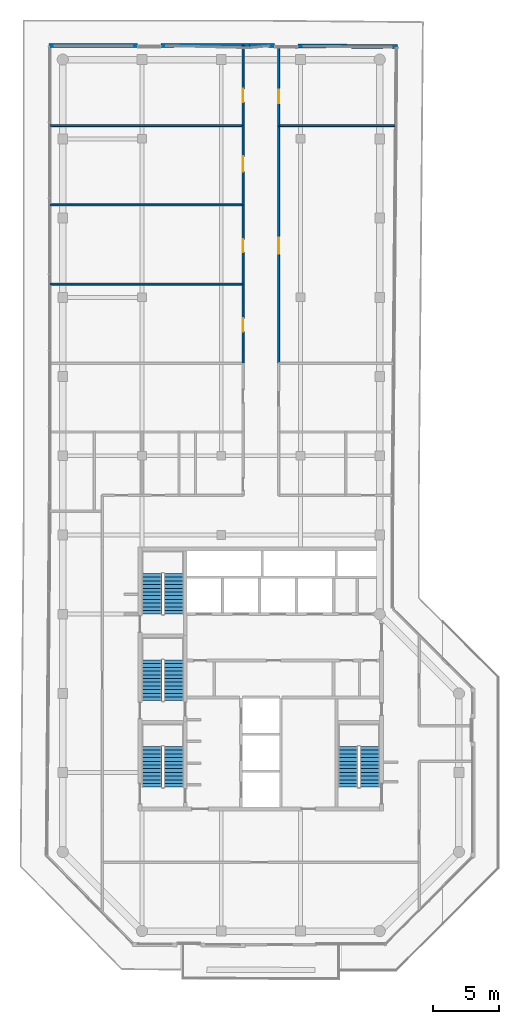
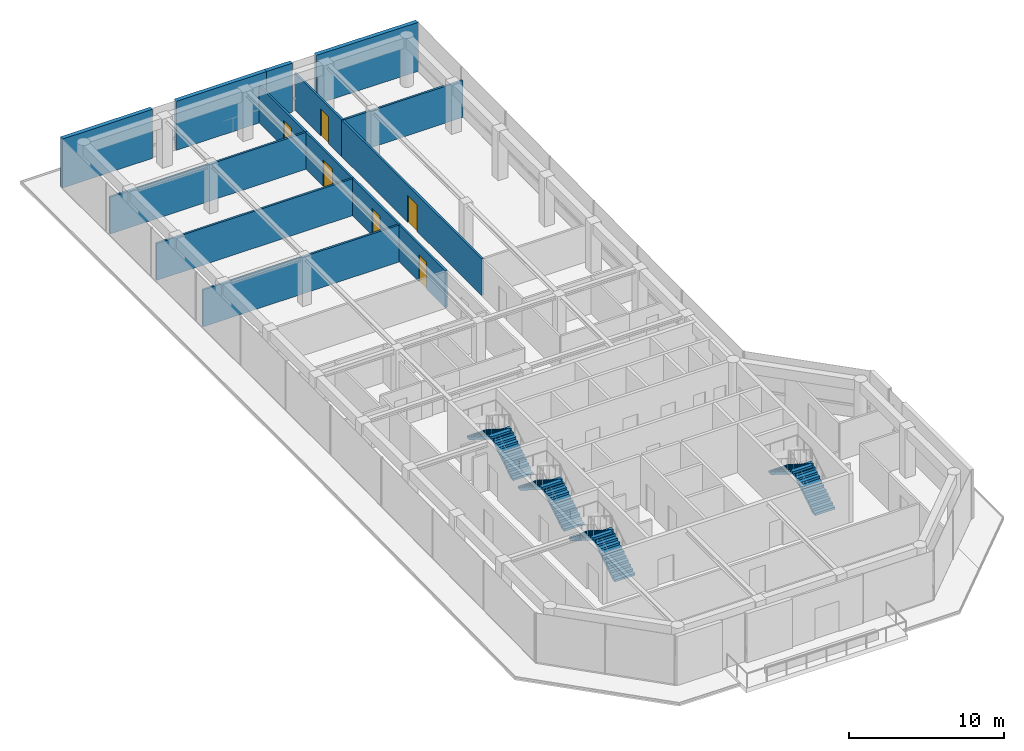
# One storey, part 16 of 18: 14 walls, 8 stair flights, 6 doors, 6 openings, 4 elements without a shape of their own.
"""IFC4 building model written with IfcOpenShell, lengths in metres."""

from ifc_helpers import new_model, si_unit, direction, frame, frame_2d, origin, place, context, subcontext, project, spatial, polyline, rectangle, outline, extrude, material, layer, layer_set, type_object, element, fill, aggregate, save


model = new_model("IFC4")

# Units and contexts
model_context = context("Model", 3, precision=1e-05, world=origin(), true_north=direction((0.0, 1.0)))
body_context = subcontext(model_context, "Body", "Model", "MODEL_VIEW")
ifc_project = project(units=[si_unit("LENGTHUNIT", "METRE"), si_unit("AREAUNIT", "SQUARE_METRE"), si_unit("VOLUMEUNIT", "CUBIC_METRE"), si_unit("PLANEANGLEUNIT", "RADIAN"), si_unit("MASSUNIT", "GRAM", prefix="KILO")], contexts=[model_context])

# Site, building, storey
site_placement = place(None, origin())
site = spatial("IfcSite", under=ifc_project, at=site_placement, CompositionType="ELEMENT")
building_placement = place(site_placement, origin())
building = spatial("IfcBuilding", under=site, at=building_placement, Name="Welwitschia Terrace Campus", CompositionType="ELEMENT")
storey_placement = place(building_placement, frame((0.0, 0.0, 285.199951171875)))
storey = spatial("IfcBuildingStorey", under=building, at=storey_placement, Name="L63", CompositionType="ELEMENT", Elevation=285.199951171875)

# Walls
ifc_material_1 = material(Name="Gypsum board on steel studs", Category="steel")
ifc_layer_1 = layer(ifc_material_1, 0.14990234375)
ifc_layer_set_1 = layer_set([ifc_layer_1], Name="Gypsum board on steel studs")
wall_type_1 = type_object("IfcWallType", Name="Corridor partition 150 EI 30", PredefinedType="PARTITIONING", material=ifc_layer_set_1)
for number, where, z_axis, x_axis, name in (
    (1, (-0.97998046875, 45.0, 0.0), (0.0, 0.0, 1.0), (1.0, 0.0, 0.0), "Partition"),
    (2, (-0.97998046875, 51.0, 0.0), (0.0, 0.0, 1.0), (1.0, 0.0, 0.0), "Partition"),
    (3, (-0.97998046875, 57.0, 0.0), (0.0, 0.0, 1.0), (1.0, 0.0, 0.0), "Partition"),
):
    element("IfcWall", number, at=place(storey_placement, frame(where, z_axis=z_axis, x_axis=x_axis)), inside=storey, type_object=wall_type_1, Name=name, PredefinedType="PARTITIONING", context=body_context, shape_type="SweptSolid", body=[
        extrude(rectangle(XDim=14.6298828125, YDim=0.14990234375, at=frame_2d((7.31494140625, 0.0))), origin(), (0.0, 0.0, 1.0), 2.900146484375),
    ])

# Wall, opening, door
wall_1_placement = place(storey_placement, frame((13.64990234375, 39.0, 0.0), z_axis=(0.0, 0.0, 1.0), x_axis=(0.0, 1.0, 0.0)))
wall_1 = element("IfcWall", 4, at=wall_1_placement, inside=storey, type_object=wall_type_1, Name="Partition", PredefinedType="PARTITIONING", context=body_context, shape_type="SweptSolid", body=[
    extrude(rectangle(XDim=6.0, YDim=0.14990234375, at=frame_2d((3.0, 0.0))), origin(), (0.0, 0.0, 1.0), 2.900146484375),
])
opening_1_placement = place(wall_1_placement, frame((2.39990234375, 0.0, 0.0)))
opening_1 = element("IfcOpeningElement", 5, at=opening_1_placement, cuts=wall_1, Name="Opening DI10", PredefinedType="OPENING", context=body_context, shape_type="SweptSolid", body=[
    extrude(rectangle(XDim=1.0, YDim=2.10009765625, at=frame_2d((0.5, 1.050048828125))), frame((0.0, 0.0849609375, 0.0), z_axis=(0.0, -1.0, 0.0), x_axis=(1.0, 0.0, 0.0)), (0.0, 0.0, 1.0), 0.169921875),
])
ifc_material_2 = material(Name="Timber veneered door", Category="wood")
door_type_1 = type_object("IfcDoorType", Name="Interior door DI10", OperationType="NOTDEFINED", PredefinedType="DOOR", material=ifc_material_2)
door_1_placement = place(opening_1_placement, origin())
door_1 = element("IfcDoor", 6, at=door_1_placement, inside=storey, type_object=door_type_1, Name="Door L63 1125", OperationType="SINGLE_SWING_RIGHT", OverallHeight=2.10009765625, OverallWidth=1.0, PredefinedType="DOOR", context=body_context, shape_type="SweptSolid", body=[
    extrude(rectangle(XDim=1.0, YDim=2.10009765625, at=frame_2d((0.5, 1.050048828125))), frame((0.0, 0.02490234375, 0.0), z_axis=(0.0, -1.0, 0.0), x_axis=(1.0, 0.0, 0.0)), (0.0, 0.0, 1.0), 0.050048828125),
])
fill(opening_1, door_1)

wall_2_placement = place(storey_placement, frame((13.64990234375, 45.0, 0.0), z_axis=(0.0, 0.0, 1.0), x_axis=(0.0, 1.0, 0.0)))
wall_2 = element("IfcWall", 7, at=wall_2_placement, inside=storey, type_object=wall_type_1, Name="Partition", PredefinedType="PARTITIONING", context=body_context, shape_type="SweptSolid", body=[
    extrude(rectangle(XDim=6.0, YDim=0.14990234375, at=frame_2d((3.0, 0.0))), origin(), (0.0, 0.0, 1.0), 2.900146484375),
])
opening_2_placement = place(wall_2_placement, frame((2.39990234375, 0.0, 0.0)))
opening_2 = element("IfcOpeningElement", 8, at=opening_2_placement, cuts=wall_2, Name="Opening DI10", PredefinedType="OPENING", context=body_context, shape_type="SweptSolid", body=[
    extrude(rectangle(XDim=1.0, YDim=2.10009765625, at=frame_2d((0.5, 1.050048828125))), frame((0.0, 0.0849609375, 0.0), z_axis=(0.0, -1.0, 0.0), x_axis=(1.0, 0.0, 0.0)), (0.0, 0.0, 1.0), 0.169921875),
])
door_2_placement = place(opening_2_placement, origin())
door_2 = element("IfcDoor", 9, at=door_2_placement, inside=storey, type_object=door_type_1, Name="Door L63 1126", OperationType="SINGLE_SWING_LEFT", OverallHeight=2.10009765625, OverallWidth=1.0, PredefinedType="DOOR", context=body_context, shape_type="SweptSolid", body=[
    extrude(rectangle(XDim=1.0, YDim=2.10009765625, at=frame_2d((0.5, 1.050048828125))), frame((0.0, 0.02490234375, 0.0), z_axis=(0.0, -1.0, 0.0), x_axis=(1.0, 0.0, 0.0)), (0.0, 0.0, 1.0), 0.050048828125),
])
fill(opening_2, door_2)

wall_3_placement = place(storey_placement, frame((13.64990234375, 51.0, 0.0), z_axis=(0.0, 0.0, 1.0), x_axis=(0.0, 1.0, 0.0)))
wall_3 = element("IfcWall", 10, at=wall_3_placement, inside=storey, type_object=wall_type_1, Name="Partition", PredefinedType="PARTITIONING", context=body_context, shape_type="SweptSolid", body=[
    extrude(rectangle(XDim=6.0, YDim=0.14990234375, at=frame_2d((3.0, 0.0))), origin(), (0.0, 0.0, 1.0), 2.900146484375),
])
opening_3_placement = place(wall_3_placement, frame((2.5, 0.0, 0.0)))
opening_3 = element("IfcOpeningElement", 11, at=opening_3_placement, cuts=wall_3, Name="Opening DI12", PredefinedType="OPENING", context=body_context, shape_type="SweptSolid", body=[
    extrude(rectangle(XDim=1.199951171875, YDim=2.10009765625, at=frame_2d((0.60009765625, 1.050048828125))), frame((0.0, 0.0849609375, 0.0), z_axis=(0.0, -1.0, 0.0), x_axis=(1.0, 0.0, 0.0)), (0.0, 0.0, 1.0), 0.169921875),
])
ifc_material_3 = material(Name="Timber veneered door", Category="wood")
door_type_2 = type_object("IfcDoorType", Name="Interior door DI12", OperationType="NOTDEFINED", PredefinedType="DOOR", material=ifc_material_3)
door_3_placement = place(opening_3_placement, origin())
door_3 = element("IfcDoor", 12, at=door_3_placement, inside=storey, type_object=door_type_2, Name="Door L63 1127", OperationType="SINGLE_SWING_RIGHT", OverallHeight=2.10009765625, OverallWidth=1.199951171875, PredefinedType="DOOR", context=body_context, shape_type="SweptSolid", body=[
    extrude(rectangle(XDim=1.199951171875, YDim=2.10009765625, at=frame_2d((0.60009765625, 1.050048828125))), frame((0.0, 0.02490234375, 0.0), z_axis=(0.0, -1.0, 0.0), x_axis=(1.0, 0.0, 0.0)), (0.0, 0.0, 1.0), 0.050048828125),
])
fill(opening_3, door_3)

wall_4_placement = place(storey_placement, frame((13.64990234375, 57.0, 0.0), z_axis=(0.0, 0.0, 1.0), x_axis=(0.0, 1.0, 0.0)))
wall_4 = element("IfcWall", 13, at=wall_4_placement, inside=storey, type_object=wall_type_1, Name="Partition", PredefinedType="PARTITIONING", context=body_context, shape_type="SweptSolid", body=[
    extrude(rectangle(XDim=6.090087890625, YDim=0.14990234375, at=frame_2d((3.044921875, 0.0))), origin(), (0.0, 0.0, 1.0), 2.900146484375),
])
opening_4_placement = place(wall_4_placement, frame((1.780029296875, 0.0, 0.0)))
opening_4 = element("IfcOpeningElement", 14, at=opening_4_placement, cuts=wall_4, Name="Opening DI10", PredefinedType="OPENING", context=body_context, shape_type="SweptSolid", body=[
    extrude(rectangle(XDim=1.0, YDim=2.10009765625, at=frame_2d((0.5, 1.050048828125))), frame((0.0, 0.0849609375, 0.0), z_axis=(0.0, -1.0, 0.0), x_axis=(1.0, 0.0, 0.0)), (0.0, 0.0, 1.0), 0.169921875),
])
door_4_placement = place(opening_4_placement, origin())
door_4 = element("IfcDoor", 15, at=door_4_placement, inside=storey, type_object=door_type_1, Name="Door L63 1128", OperationType="SINGLE_SWING_LEFT", OverallHeight=2.10009765625, OverallWidth=1.0, PredefinedType="DOOR", context=body_context, shape_type="SweptSolid", body=[
    extrude(rectangle(XDim=1.0, YDim=2.10009765625, at=frame_2d((0.5, 1.050048828125))), frame((0.0, 0.02490234375, 0.0), z_axis=(0.0, -1.0, 0.0), x_axis=(1.0, 0.0, 0.0)), (0.0, 0.0, 1.0), 0.050048828125),
])
fill(opening_4, door_4)

wall_5_placement = place(storey_placement, frame((16.35009765625, 57.0, 0.0), z_axis=(0.0, 0.0, 1.0), x_axis=(0.0, -1.0, 0.0)))
wall_5 = element("IfcWall", 16, at=wall_5_placement, inside=storey, type_object=wall_type_1, Name="Partition", PredefinedType="PARTITIONING", context=body_context, shape_type="SweptSolid", body=[
    extrude(rectangle(XDim=18.0, YDim=0.14990234375, at=frame_2d((9.0, 0.0))), origin(), (0.0, 0.0, 1.0), 2.900146484375),
])
opening_5_placement = place(wall_5_placement, frame((8.5, 0.0, 0.0)))
opening_5 = element("IfcOpeningElement", 17, at=opening_5_placement, cuts=wall_5, Name="Opening DI12", PredefinedType="OPENING", context=body_context, shape_type="SweptSolid", body=[
    extrude(rectangle(XDim=1.199951171875, YDim=2.10009765625, at=frame_2d((0.60009765625, 1.050048828125))), frame((0.0, 0.0849609375, 0.0), z_axis=(0.0, -1.0, 0.0), x_axis=(1.0, 0.0, 0.0)), (0.0, 0.0, 1.0), 0.169921875),
])
door_5_placement = place(opening_5_placement, origin())
door_5 = element("IfcDoor", 18, at=door_5_placement, inside=storey, type_object=door_type_2, Name="Door L63 1130", OperationType="SINGLE_SWING_LEFT", OverallHeight=2.10009765625, OverallWidth=1.199951171875, PredefinedType="DOOR", context=body_context, shape_type="SweptSolid", body=[
    extrude(rectangle(XDim=1.199951171875, YDim=2.10009765625, at=frame_2d((0.60009765625, 1.050048828125))), frame((0.0, 0.02490234375, 0.0), z_axis=(0.0, -1.0, 0.0), x_axis=(1.0, 0.0, 0.0)), (0.0, 0.0, 1.0), 0.050048828125),
])
fill(opening_5, door_5)

# Wall
wall_6_placement = place(storey_placement, frame((16.35009765625, 57.0, 0.0), z_axis=(0.0, 0.0, 1.0), x_axis=(1.0, 0.0, 0.0)))
element("IfcWall", 19, at=wall_6_placement, inside=storey, type_object=wall_type_1, Name="Partition", PredefinedType="PARTITIONING", context=body_context, shape_type="SweptSolid", body=[
    extrude(rectangle(XDim=8.8798828125, YDim=0.14990234375, at=frame_2d((4.43994140625, 0.0))), origin(), (0.0, 0.0, 1.0), 2.900146484375),
])

# Wall, opening, door
wall_7_placement = place(storey_placement, frame((16.35009765625, 63.070556640625, 0.0), z_axis=(0.0, 0.0, 1.0), x_axis=(0.0, -1.0, 0.0)))
wall_7 = element("IfcWall", 20, at=wall_7_placement, inside=storey, type_object=wall_type_1, Name="Partition", PredefinedType="PARTITIONING", context=body_context, shape_type="SweptSolid", body=[
    extrude(rectangle(XDim=6.070556640625, YDim=0.14990234375, at=frame_2d((3.03515625, 0.0))), origin(), (0.0, 0.0, 1.0), 2.900146484375),
])
opening_6_placement = place(wall_7_placement, frame((3.37060546875, 0.0, 0.0)))
opening_6 = element("IfcOpeningElement", 21, at=opening_6_placement, cuts=wall_7, Name="Opening DI10", PredefinedType="OPENING", context=body_context, shape_type="SweptSolid", body=[
    extrude(rectangle(XDim=1.0, YDim=2.10009765625, at=frame_2d((0.5, 1.050048828125))), frame((0.0, 0.0849609375, 0.0), z_axis=(0.0, -1.0, 0.0), x_axis=(1.0, 0.0, 0.0)), (0.0, 0.0, 1.0), 0.169921875),
])
door_6_placement = place(opening_6_placement, origin())
door_6 = element("IfcDoor", 22, at=door_6_placement, inside=storey, type_object=door_type_1, Name="Door L63 1131", OperationType="SINGLE_SWING_RIGHT", OverallHeight=2.10009765625, OverallWidth=1.0, PredefinedType="DOOR", context=body_context, shape_type="SweptSolid", body=[
    extrude(rectangle(XDim=1.0, YDim=2.10009765625, at=frame_2d((0.5, 1.050048828125))), frame((0.0, 0.02490234375, 0.0), z_axis=(0.0, -1.0, 0.0), x_axis=(1.0, 0.0, 0.0)), (0.0, 0.0, 1.0), 0.050048828125),
])
fill(opening_6, door_6)

# Walls
ifc_material_4 = material(Name="Concrete C40/50", Category="concrete")
ifc_layer_2 = layer(ifc_material_4, 0.300048828125)
ifc_layer_set_2 = layer_set([ifc_layer_2], Name="Concrete C40/50")
wall_type_2 = type_object("IfcWallType", Name="Mass wall 300", PredefinedType="SOLIDWALL", material=ifc_layer_set_2)
for number, where, z_axis, x_axis, name in (
    (23, (14.124267578125, 63.080078125, 0.0), (0.0, 0.0, 1.0), (-1.0, 0.0, 0.0), "Mass wall L63.0.0"),
    (24, (5.647216796875, 63.078125, 0.0), (0.0, 0.0, 1.0), (-1.0, 0.0, 0.0), "Mass wall L63.0.1"),
):
    element("IfcWall", number, at=place(storey_placement, frame(where, z_axis=z_axis, x_axis=x_axis)), inside=storey, type_object=wall_type_2, Name=name, PredefinedType="SOLIDWALL", context=body_context, shape_type="SweptSolid", body=[
        extrude(rectangle(XDim=6.67724609375, YDim=0.300048828125, at=frame_2d((3.338623046875, 0.0))), origin(), (0.0, 0.0, 1.0), 3.85009765625),
    ])
wall_8_placement = place(storey_placement, frame((25.332275390625, 62.980224609375, 0.0), z_axis=(0.0, 0.0, 1.0), x_axis=(-0.999961723794, 0.008749339829, 0.0)))
element("IfcWall", 25, at=wall_8_placement, inside=storey, type_object=wall_type_2, Name="Mass wall L63.11.0", PredefinedType="SOLIDWALL", context=body_context, shape_type="SweptSolid", body=[
    extrude(rectangle(XDim=7.506103515625, YDim=0.300048828125, at=frame_2d((3.7529296875, 0.0))), origin(), (0.0, 0.0, 1.0), 3.85009765625),
])
wall_9_placement = place(storey_placement, frame((16.026611328125, 63.0634765625, 0.0), z_axis=(0.0, 0.0, 1.0), x_axis=(-0.999961913014, 0.008727687086, 0.0)))
element("IfcWall", 26, at=wall_9_placement, inside=storey, type_object=wall_type_2, Name="Mass wall L63.11.1", PredefinedType="SOLIDWALL", context=body_context, shape_type="SweptSolid", body=[
    extrude(rectangle(XDim=1.902099609375, YDim=0.300048828125, at=frame_2d((0.951171875, 0.0))), origin(), (0.0, 0.0, 1.0), 3.85009765625),
])

# Stair, stair flights
ifc_material_5 = material(Name="Concrete C40/50", Category="concrete")
stair_type = type_object("IfcStairType", Name="Stair 24R 175 W1500", PredefinedType="HALF_TURN_STAIR", material=ifc_material_5)
stair_1_placement = place(storey_placement, origin())
stair_1 = element("IfcStair", 27, at=stair_1_placement, inside=storey, type_object=stair_type, Name="L63 Exit stair S1", PredefinedType="HALF_TURN_STAIR")
ifc_material_6 = material(Name="Concrete C40/50", Category="concrete")
stair_flight_type = type_object("IfcStairFlightType", Name="Stair flight 24R 175 W1500", PredefinedType="STRAIGHT", material=ifc_material_6)
stair_flight_1_placement = place(storey_placement, frame((8.39990234375, 6.89990234375, 0.0), z_axis=(0.0, 0.0, 1.0), x_axis=(0.0, 1.0, 0.0)))
stair_flight_1 = element("IfcStairFlight", 28, at=stair_flight_1_placement, type_object=stair_flight_type, Name="S1 flight 1", NumberOfRisers=12, NumberOfTreads=11, PredefinedType="STRAIGHT", RiserHeight=0.175, TreadLength=0.28, context=body_context, shape_type="SweptSolid", body=[
    extrude(outline(polyline([(0.0, 0.0), (0.0, 0.175048828125), (0.280029296875, 0.175048828125), (0.280029296875, 0.35009765625), (0.56005859375, 0.35009765625), (0.56005859375, 0.52490234375), (0.840087890625, 0.52490234375), (0.840087890625, 0.699951171875), (1.1201171875, 0.699951171875), (1.1201171875, 0.875), (1.39990234375, 0.875), (1.39990234375, 1.050048828125), (1.679931640625, 1.050048828125), (1.679931640625, 1.22509765625), (1.9599609375, 1.22509765625), (1.9599609375, 1.39990234375), (2.239990234375, 1.39990234375), (2.239990234375, 1.574951171875), (2.52001953125, 1.574951171875), (2.52001953125, 1.75), (2.800048828125, 1.75), (2.800048828125, 1.925048828125), (3.080078125, 1.925048828125), (3.080078125, 2.10009765625), (3.080078125, 1.748291015625), (0.28271484375, 0.0), (0.0, 0.0)])), frame((0.0, 0.75, 0.0), z_axis=(0.0, -1.0, 0.0), x_axis=(1.0, 0.0, 0.0)), (0.0, 0.0, 1.0), 1.5),
])
stair_flight_2_placement = place(storey_placement, frame((6.75, 9.97998046875, 2.10009765625), z_axis=(0.0, 0.0, 1.0), x_axis=(0.0, -1.0, 0.0)))
stair_flight_2 = element("IfcStairFlight", 29, at=stair_flight_2_placement, type_object=stair_flight_type, Name="S1 flight 2", NumberOfRisers=12, NumberOfTreads=11, PredefinedType="STRAIGHT", RiserHeight=0.175, TreadLength=0.28, context=body_context, shape_type="SweptSolid", body=[
    extrude(outline(polyline([(0.0, 0.0), (0.0, 0.175048828125), (0.280029296875, 0.175048828125), (0.280029296875, 0.35009765625), (0.56005859375, 0.35009765625), (0.56005859375, 0.52490234375), (0.840087890625, 0.52490234375), (0.840087890625, 0.699951171875), (1.1201171875, 0.699951171875), (1.1201171875, 0.875), (1.39990234375, 0.875), (1.39990234375, 1.050048828125), (1.679931640625, 1.050048828125), (1.679931640625, 1.22509765625), (1.9599609375, 1.22509765625), (1.9599609375, 1.39990234375), (2.239990234375, 1.39990234375), (2.239990234375, 1.574951171875), (2.52001953125, 1.574951171875), (2.52001953125, 1.75), (2.800048828125, 1.75), (2.800048828125, 1.925048828125), (3.080078125, 1.925048828125), (3.080078125, 2.10009765625), (3.080078125, 1.748291015625), (0.28271484375, 0.0), (0.0, 0.0)])), frame((0.0, 0.75, 0.0), z_axis=(0.0, -1.0, 0.0), x_axis=(1.0, 0.0, 0.0)), (0.0, 0.0, 1.0), 1.5),
])
aggregate(stair_1, [stair_flight_1, stair_flight_2])

stair_2_placement = place(storey_placement, origin())
stair_2 = element("IfcStair", 30, at=stair_2_placement, inside=storey, type_object=stair_type, Name="L63 Exit stair S3", PredefinedType="HALF_TURN_STAIR")
stair_flight_3_placement = place(storey_placement, frame((8.39990234375, 13.449951171875, 0.0), z_axis=(0.0, 0.0, 1.0), x_axis=(0.0, 1.0, 0.0)))
stair_flight_3 = element("IfcStairFlight", 31, at=stair_flight_3_placement, type_object=stair_flight_type, Name="S3 flight 1", NumberOfRisers=12, NumberOfTreads=11, PredefinedType="STRAIGHT", RiserHeight=0.175, TreadLength=0.28, context=body_context, shape_type="SweptSolid", body=[
    extrude(outline(polyline([(0.0, 0.0), (0.0, 0.175048828125), (0.280029296875, 0.175048828125), (0.280029296875, 0.35009765625), (0.56005859375, 0.35009765625), (0.56005859375, 0.52490234375), (0.840087890625, 0.52490234375), (0.840087890625, 0.699951171875), (1.1201171875, 0.699951171875), (1.1201171875, 0.875), (1.39990234375, 0.875), (1.39990234375, 1.050048828125), (1.679931640625, 1.050048828125), (1.679931640625, 1.22509765625), (1.9599609375, 1.22509765625), (1.9599609375, 1.39990234375), (2.239990234375, 1.39990234375), (2.239990234375, 1.574951171875), (2.52001953125, 1.574951171875), (2.52001953125, 1.75), (2.800048828125, 1.75), (2.800048828125, 1.925048828125), (3.080078125, 1.925048828125), (3.080078125, 2.10009765625), (3.080078125, 1.748291015625), (0.28271484375, 0.0), (0.0, 0.0)])), frame((0.0, 0.75, 0.0), z_axis=(0.0, -1.0, 0.0), x_axis=(1.0, 0.0, 0.0)), (0.0, 0.0, 1.0), 1.5),
])
stair_flight_4_placement = place(storey_placement, frame((6.75, 16.530029296875, 2.10009765625), z_axis=(0.0, 0.0, 1.0), x_axis=(0.0, -1.0, 0.0)))
stair_flight_4 = element("IfcStairFlight", 32, at=stair_flight_4_placement, type_object=stair_flight_type, Name="S3 flight 2", NumberOfRisers=12, NumberOfTreads=11, PredefinedType="STRAIGHT", RiserHeight=0.175, TreadLength=0.28, context=body_context, shape_type="SweptSolid", body=[
    extrude(outline(polyline([(0.0, 0.0), (0.0, 0.175048828125), (0.280029296875, 0.175048828125), (0.280029296875, 0.35009765625), (0.56005859375, 0.35009765625), (0.56005859375, 0.52490234375), (0.840087890625, 0.52490234375), (0.840087890625, 0.699951171875), (1.1201171875, 0.699951171875), (1.1201171875, 0.875), (1.39990234375, 0.875), (1.39990234375, 1.050048828125), (1.679931640625, 1.050048828125), (1.679931640625, 1.22509765625), (1.9599609375, 1.22509765625), (1.9599609375, 1.39990234375), (2.239990234375, 1.39990234375), (2.239990234375, 1.574951171875), (2.52001953125, 1.574951171875), (2.52001953125, 1.75), (2.800048828125, 1.75), (2.800048828125, 1.925048828125), (3.080078125, 1.925048828125), (3.080078125, 2.10009765625), (3.080078125, 1.748291015625), (0.28271484375, 0.0), (0.0, 0.0)])), frame((0.0, 0.75, 0.0), z_axis=(0.0, -1.0, 0.0), x_axis=(1.0, 0.0, 0.0)), (0.0, 0.0, 1.0), 1.5),
])
aggregate(stair_2, [stair_flight_3, stair_flight_4])

stair_3_placement = place(storey_placement, origin())
stair_3 = element("IfcStair", 33, at=stair_3_placement, inside=storey, type_object=stair_type, Name="L63 Exit stair S4", PredefinedType="HALF_TURN_STAIR")
stair_flight_5_placement = place(storey_placement, frame((8.39990234375, 20.0, 0.0), z_axis=(0.0, 0.0, 1.0), x_axis=(0.0, 1.0, 0.0)))
stair_flight_5 = element("IfcStairFlight", 34, at=stair_flight_5_placement, type_object=stair_flight_type, Name="S4 flight 1", NumberOfRisers=12, NumberOfTreads=11, PredefinedType="STRAIGHT", RiserHeight=0.175, TreadLength=0.28, context=body_context, shape_type="SweptSolid", body=[
    extrude(outline(polyline([(0.0, 0.0), (0.0, 0.175048828125), (0.280029296875, 0.175048828125), (0.280029296875, 0.35009765625), (0.56005859375, 0.35009765625), (0.56005859375, 0.52490234375), (0.840087890625, 0.52490234375), (0.840087890625, 0.699951171875), (1.1201171875, 0.699951171875), (1.1201171875, 0.875), (1.39990234375, 0.875), (1.39990234375, 1.050048828125), (1.679931640625, 1.050048828125), (1.679931640625, 1.22509765625), (1.9599609375, 1.22509765625), (1.9599609375, 1.39990234375), (2.239990234375, 1.39990234375), (2.239990234375, 1.574951171875), (2.52001953125, 1.574951171875), (2.52001953125, 1.75), (2.800048828125, 1.75), (2.800048828125, 1.925048828125), (3.080078125, 1.925048828125), (3.080078125, 2.10009765625), (3.080078125, 1.748291015625), (0.28271484375, 0.0), (0.0, 0.0)])), frame((0.0, 0.75, 0.0), z_axis=(0.0, -1.0, 0.0), x_axis=(1.0, 0.0, 0.0)), (0.0, 0.0, 1.0), 1.5),
])
stair_flight_6_placement = place(storey_placement, frame((6.75, 23.080078125, 2.10009765625), z_axis=(0.0, 0.0, 1.0), x_axis=(0.0, -1.0, 0.0)))
stair_flight_6 = element("IfcStairFlight", 35, at=stair_flight_6_placement, type_object=stair_flight_type, Name="S4 flight 2", NumberOfRisers=12, NumberOfTreads=11, PredefinedType="STRAIGHT", RiserHeight=0.175, TreadLength=0.28, context=body_context, shape_type="SweptSolid", body=[
    extrude(outline(polyline([(0.0, 0.0), (0.0, 0.175048828125), (0.280029296875, 0.175048828125), (0.280029296875, 0.35009765625), (0.56005859375, 0.35009765625), (0.56005859375, 0.52490234375), (0.840087890625, 0.52490234375), (0.840087890625, 0.699951171875), (1.1201171875, 0.699951171875), (1.1201171875, 0.875), (1.39990234375, 0.875), (1.39990234375, 1.050048828125), (1.679931640625, 1.050048828125), (1.679931640625, 1.22509765625), (1.9599609375, 1.22509765625), (1.9599609375, 1.39990234375), (2.239990234375, 1.39990234375), (2.239990234375, 1.574951171875), (2.52001953125, 1.574951171875), (2.52001953125, 1.75), (2.800048828125, 1.75), (2.800048828125, 1.925048828125), (3.080078125, 1.925048828125), (3.080078125, 2.10009765625), (3.080078125, 1.748291015625), (0.28271484375, 0.0), (0.0, 0.0)])), frame((0.0, 0.75, 0.0), z_axis=(0.0, -1.0, 0.0), x_axis=(1.0, 0.0, 0.0)), (0.0, 0.0, 1.0), 1.5),
])
aggregate(stair_3, [stair_flight_5, stair_flight_6])

stair_4_placement = place(storey_placement, origin())
stair_4 = element("IfcStair", 36, at=stair_4_placement, inside=storey, type_object=stair_type, Name="L63 Exit stair S2", PredefinedType="HALF_TURN_STAIR")
stair_flight_7_placement = place(storey_placement, frame((23.25, 6.89990234375, 0.0), z_axis=(0.0, 0.0, 1.0), x_axis=(0.0, 1.0, 0.0)))
stair_flight_7 = element("IfcStairFlight", 37, at=stair_flight_7_placement, type_object=stair_flight_type, Name="S2 flight 1", NumberOfRisers=12, NumberOfTreads=11, PredefinedType="STRAIGHT", RiserHeight=0.175, TreadLength=0.28, context=body_context, shape_type="SweptSolid", body=[
    extrude(outline(polyline([(0.0, 0.0), (0.0, 0.175048828125), (0.280029296875, 0.175048828125), (0.280029296875, 0.35009765625), (0.56005859375, 0.35009765625), (0.56005859375, 0.52490234375), (0.840087890625, 0.52490234375), (0.840087890625, 0.699951171875), (1.1201171875, 0.699951171875), (1.1201171875, 0.875), (1.39990234375, 0.875), (1.39990234375, 1.050048828125), (1.679931640625, 1.050048828125), (1.679931640625, 1.22509765625), (1.9599609375, 1.22509765625), (1.9599609375, 1.39990234375), (2.239990234375, 1.39990234375), (2.239990234375, 1.574951171875), (2.52001953125, 1.574951171875), (2.52001953125, 1.75), (2.800048828125, 1.75), (2.800048828125, 1.925048828125), (3.080078125, 1.925048828125), (3.080078125, 2.10009765625), (3.080078125, 1.748291015625), (0.28271484375, 0.0), (0.0, 0.0)])), frame((0.0, 0.75, 0.0), z_axis=(0.0, -1.0, 0.0), x_axis=(1.0, 0.0, 0.0)), (0.0, 0.0, 1.0), 1.5),
])
stair_flight_8_placement = place(storey_placement, frame((21.60009765625, 9.97998046875, 2.10009765625), z_axis=(0.0, 0.0, 1.0), x_axis=(0.0, -1.0, 0.0)))
stair_flight_8 = element("IfcStairFlight", 38, at=stair_flight_8_placement, type_object=stair_flight_type, Name="S2 flight 2", NumberOfRisers=12, NumberOfTreads=11, PredefinedType="STRAIGHT", RiserHeight=0.175, TreadLength=0.28, context=body_context, shape_type="SweptSolid", body=[
    extrude(outline(polyline([(0.0, 0.0), (0.0, 0.175048828125), (0.280029296875, 0.175048828125), (0.280029296875, 0.35009765625), (0.56005859375, 0.35009765625), (0.56005859375, 0.52490234375), (0.840087890625, 0.52490234375), (0.840087890625, 0.699951171875), (1.1201171875, 0.699951171875), (1.1201171875, 0.875), (1.39990234375, 0.875), (1.39990234375, 1.050048828125), (1.679931640625, 1.050048828125), (1.679931640625, 1.22509765625), (1.9599609375, 1.22509765625), (1.9599609375, 1.39990234375), (2.239990234375, 1.39990234375), (2.239990234375, 1.574951171875), (2.52001953125, 1.574951171875), (2.52001953125, 1.75), (2.800048828125, 1.75), (2.800048828125, 1.925048828125), (3.080078125, 1.925048828125), (3.080078125, 2.10009765625), (3.080078125, 1.748291015625), (0.28271484375, 0.0), (0.0, 0.0)])), frame((0.0, 0.75, 0.0), z_axis=(0.0, -1.0, 0.0), x_axis=(1.0, 0.0, 0.0)), (0.0, 0.0, 1.0), 1.5),
])
aggregate(stair_4, [stair_flight_7, stair_flight_8])

save(model, "model.ifc")
